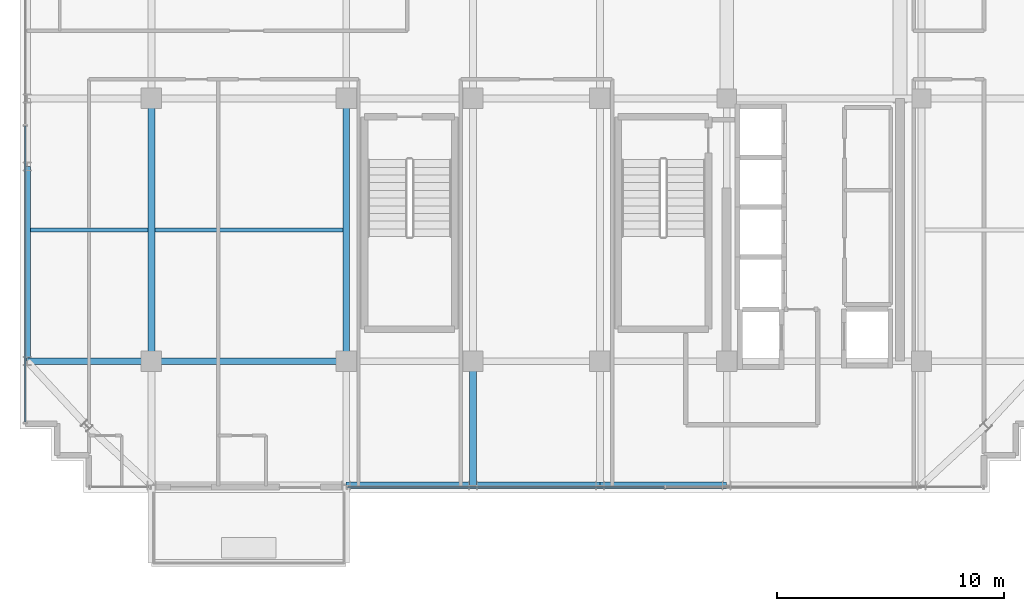
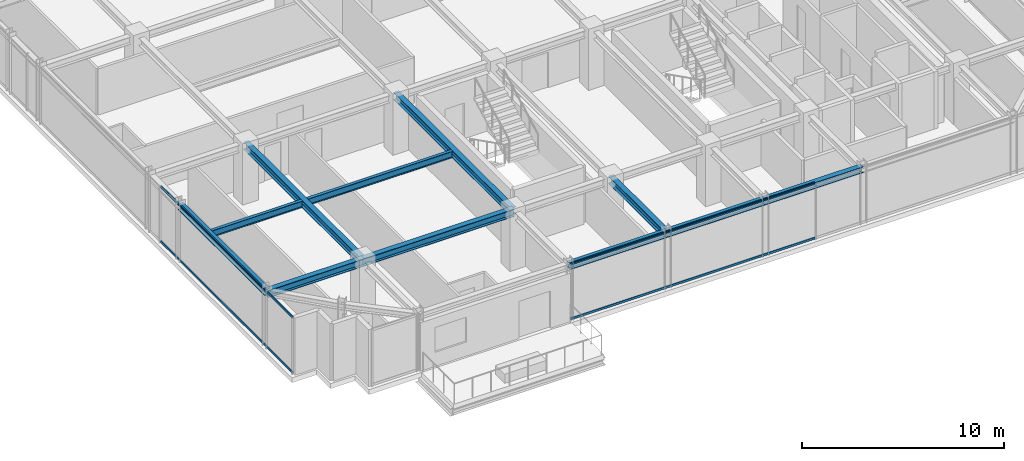
# One storey, part 6 of 33: 11 beams, 4 members, 2 elements without a shape of their own.
"""IFC4 building model written with IfcOpenShell, lengths in metres."""

from ifc_helpers import new_model, si_unit, direction, frame, origin, origin_2d, place, context, subcontext, project, spatial, hollow_rectangle, i_section, extrude, source, transform, mapped, material, material_profile, profile_set, type_object, element, aggregate, save


model = new_model("IFC4")

# Units and contexts
model_context = context("Model", 3, precision=1e-05, world=origin(), true_north=direction((0.0, 1.0)))
body_context = subcontext(model_context, "Body", "Model", "MODEL_VIEW")
ifc_project = project(units=[si_unit("LENGTHUNIT", "METRE"), si_unit("AREAUNIT", "SQUARE_METRE"), si_unit("VOLUMEUNIT", "CUBIC_METRE"), si_unit("PLANEANGLEUNIT", "RADIAN"), si_unit("MASSUNIT", "GRAM", prefix="KILO")], contexts=[model_context])

# Site, building, storey
site_placement = place(None, origin())
site = spatial("IfcSite", under=ifc_project, at=site_placement, CompositionType="ELEMENT")
building_placement = place(site_placement, origin())
building = spatial("IfcBuilding", under=site, at=building_placement, Name="Nahalor Promenade Grand Hotel", CompositionType="ELEMENT")
storey_placement = place(building_placement, frame((0.0, 0.0, 270.050048828125)))
storey = spatial("IfcBuildingStorey", under=building, at=storey_placement, Name="L69", CompositionType="ELEMENT", Elevation=270.050048828125)

# Beams
ifc_material_1 = material(Name="Steel S355JR", Category="steel")
ifc_material_profile_1 = material_profile(ifc_material_1, i_section(OverallWidth=0.3, OverallDepth=0.45, WebThickness=0.014, FlangeThickness=0.026, at=origin_2d()), Name="HEB 450")
ifc_profile_set_1 = profile_set([ifc_material_profile_1], Name="Steel S355JR")
beam_type_1 = type_object("IfcBeamType", Name="Beam-Girder-HEB450", PredefinedType="BEAM", material=ifc_profile_set_1)
shared_shape_1 = source(origin(), body_context, "Body", "SweptSolid", [
    extrude(i_section(OverallWidth=0.3, OverallDepth=0.45, WebThickness=0.014, FlangeThickness=0.026, at=origin_2d()), origin(), (0.0, 0.0, 1.0), 8.60009765625),
])
beam_1_placement = place(storey_placement, frame((-17.0, -17.0, 3.224853515625), z_axis=(1.0, 0.0, 0.0), x_axis=(0.0, 1.0, 0.0)))
element("IfcBeam", 1, at=beam_1_placement, inside=storey, type_object=beam_type_1, Name="BM-L69-GX-0-1", PredefinedType="BEAM", context=body_context, shape_type="MappedRepresentation", body=[
    mapped(shared_shape_1, transform((0.0, 0.0, 0.0), scale=1.0)),
])
shared_shape_2 = source(origin(), body_context, "Body", "SweptSolid", [
    extrude(i_section(OverallWidth=0.3, OverallDepth=0.45, WebThickness=0.014, FlangeThickness=0.026, at=origin_2d()), origin(), (0.0, 0.0, 1.0), 11.60009765625),
])
for number, where, z_axis, x_axis, name in (
    (2, (-17.0, -17.0, 3.224853515625), (0.0, 1.0, 0.0), (-1.0, 0.0, 0.0), "BM-L69-GY-0-1"),
    (3, (-8.39990234375, -17.0, 3.224853515625), (0.0, 1.0, 0.0), (-1.0, 0.0, 0.0), "BM-L69-GY-1-1"),
):
    element("IfcBeam", number, at=place(storey_placement, frame(where, z_axis=z_axis, x_axis=x_axis)), inside=storey, type_object=beam_type_1, Name=name, PredefinedType="BEAM", context=body_context, shape_type="MappedRepresentation", body=[
        mapped(shared_shape_2, transform((0.0, 0.0, 0.0), scale=1.0)),
    ])
ifc_material_profile_2 = material_profile(ifc_material_1, i_section(OverallWidth=0.18, OverallDepth=0.4, WebThickness=0.0086, FlangeThickness=0.0135, at=origin_2d()), Name="IPE 400")
ifc_profile_set_2 = profile_set([ifc_material_profile_2], Name="Steel S355JR")
beam_type_2 = type_object("IfcBeamType", Name="Beam-Joist-IPE400", PredefinedType="JOIST", material=ifc_profile_set_2)
shared_shape_3 = source(origin(), body_context, "Body", "SweptSolid", [
    extrude(i_section(OverallWidth=0.18, OverallDepth=0.4, WebThickness=0.0086, FlangeThickness=0.0135, at=origin_2d()), origin(), (0.0, 0.0, 1.0), 8.300048828125),
])
beam_2_placement = place(storey_placement, frame((-16.85009765625, -11.199951171875, 3.25), z_axis=(1.0, 0.0, 0.0), x_axis=(0.0, 1.0, 0.0)))
element("IfcBeam", 4, at=beam_2_placement, inside=storey, type_object=beam_type_2, Name="BM-L69-JSW-0-1", PredefinedType="JOIST", context=body_context, shape_type="MappedRepresentation", body=[
    mapped(shared_shape_3, transform((0.0, 0.0, 0.0), scale=1.0)),
])
shared_shape_4 = source(origin(), body_context, "Body", "SweptSolid", [
    extrude(i_section(OverallWidth=0.3, OverallDepth=0.45, WebThickness=0.014, FlangeThickness=0.026, at=origin_2d()), origin(), (0.0, 0.0, 1.0), 5.47998046875),
])
for number, where, z_axis, x_axis, name in (
    (5, (-22.47998046875, -17.0, 3.224853515625), (1.0, 0.0, 0.0), (0.0, 1.0, 0.0), "BM-L69-GX-0-0"),
    (6, (-2.800048828125, -22.47998046875, 3.224853515625), (0.0, 1.0, 0.0), (-1.0, 0.0, 0.0), "BM-L69-GY-2-0"),
):
    element("IfcBeam", number, at=place(storey_placement, frame(where, z_axis=z_axis, x_axis=x_axis)), inside=storey, type_object=beam_type_1, Name=name, PredefinedType="BEAM", context=body_context, shape_type="MappedRepresentation", body=[
        mapped(shared_shape_4, transform((0.0, 0.0, 0.0), scale=1.0)),
    ])
shared_shape_5 = source(origin(), body_context, "Body", "SweptSolid", [
    extrude(i_section(OverallWidth=0.18, OverallDepth=0.4, WebThickness=0.0086, FlangeThickness=0.0135, at=origin_2d()), origin(), (0.0, 0.0, 1.0), 5.18017578125),
])
beam_3_placement = place(storey_placement, frame((-22.330078125, -11.199951171875, 3.25), z_axis=(1.0, 0.0, 0.0), x_axis=(0.0, 1.0, 0.0)))
element("IfcBeam", 7, at=beam_3_placement, inside=storey, type_object=beam_type_2, Name="BM-L69-JSW-0-0", PredefinedType="JOIST", context=body_context, shape_type="MappedRepresentation", body=[
    mapped(shared_shape_5, transform((0.0, 0.0, 0.0), scale=1.0)),
])
ifc_material_profile_3 = material_profile(ifc_material_1, i_section(OverallWidth=0.3, OverallDepth=0.36, WebThickness=0.0125, FlangeThickness=0.0225, at=origin_2d()), Name="HEB 360")
ifc_profile_set_3 = profile_set([ifc_material_profile_3], Name="Steel S355JR")
beam_type_3 = type_object("IfcBeamType", Name="Beam-Spandrel-HEB360", PredefinedType="SPANDREL", material=ifc_profile_set_3)
shared_shape_6 = source(origin(), body_context, "Body", "SweptSolid", [
    extrude(i_section(OverallWidth=0.3, OverallDepth=0.36, WebThickness=0.0125, FlangeThickness=0.0225, at=origin_2d()), origin(), (0.0, 0.0, 1.0), 8.60009765625),
])
beam_4_placement = place(storey_placement, frame((-22.47998046875, -17.0, 3.27001953125), z_axis=(0.0, 1.0, 0.0), x_axis=(-1.0, 0.0, 0.0)))
element("IfcBeam", 8, at=beam_4_placement, inside=storey, type_object=beam_type_3, Name="BM-L69-SP-W-0", PredefinedType="SPANDREL", context=body_context, shape_type="MappedRepresentation", body=[
    mapped(shared_shape_6, transform((0.0, 0.0, 0.0), scale=1.0)),
])
shared_shape_7 = source(origin(), body_context, "Body", "SweptSolid", [
    extrude(i_section(OverallWidth=0.3, OverallDepth=0.36, WebThickness=0.0125, FlangeThickness=0.0225, at=origin_2d()), origin(), (0.0, 0.0, 1.0), 5.599853515625),
])
for number, where, z_axis, x_axis, name in (
    (9, (-8.39990234375, -22.47998046875, 3.27001953125), (1.0, 0.0, 0.0), (0.0, 1.0, 0.0), "BM-L69-SP-S-1"),
    (10, (2.800048828125, -22.47998046875, 3.27001953125), (1.0, 0.0, 0.0), (0.0, 1.0, 0.0), "BM-L69-SP-S-3"),
):
    element("IfcBeam", number, at=place(storey_placement, frame(where, z_axis=z_axis, x_axis=x_axis)), inside=storey, type_object=beam_type_3, Name=name, PredefinedType="SPANDREL", context=body_context, shape_type="MappedRepresentation", body=[
        mapped(shared_shape_7, transform((0.0, 0.0, 0.0), scale=1.0)),
    ])
shared_shape_8 = source(origin(), body_context, "Body", "SweptSolid", [
    extrude(i_section(OverallWidth=0.3, OverallDepth=0.36, WebThickness=0.0125, FlangeThickness=0.0225, at=origin_2d()), origin(), (0.0, 0.0, 1.0), 5.60009765625),
])
beam_5_placement = place(storey_placement, frame((-2.800048828125, -22.47998046875, 3.27001953125), z_axis=(1.0, 0.0, 0.0), x_axis=(0.0, 1.0, 0.0)))
element("IfcBeam", 11, at=beam_5_placement, inside=storey, type_object=beam_type_3, Name="BM-L69-SP-S-2", PredefinedType="SPANDREL", context=body_context, shape_type="MappedRepresentation", body=[
    mapped(shared_shape_8, transform((0.0, 0.0, 0.0), scale=1.0)),
])

# Curtain wall, members
ifc_material_2 = material(Name="Anodised Bronze Aluminium EN AW-6063 T6", Category="aluminium")
curtain_wall_type = type_object("IfcCurtainWallType", Name="CW2 Typical Hotel Flush Bronze Unitised Curtain Wall", PredefinedType="USERDEFINED", material=ifc_material_2)
curtain_wall_1_placement = place(storey_placement, origin())
curtain_wall_1 = element("IfcCurtainWall", 12, at=curtain_wall_1_placement, inside=storey, type_object=curtain_wall_type, Name="L69 Curtain Wall CW-L69-S-3", ObjectType="UNITISED_CURTAIN_WALL", PredefinedType="USERDEFINED")
ifc_material_profile_4 = material_profile(ifc_material_2, hollow_rectangle(XDim=0.065, YDim=0.13, WallThickness=0.004, at=origin_2d()), Name="CWT 65x130x4")
ifc_profile_set_4 = profile_set([ifc_material_profile_4], Name="Anodised Bronze Aluminium EN AW-6063 T6")
member_type = type_object("IfcMemberType", Name="CWT2 Typical Bronze Transom 65x130", PredefinedType="USERDEFINED", material=ifc_profile_set_4)
shared_shape_9 = source(origin(), body_context, "Body", "SweptSolid", [
    extrude(hollow_rectangle(XDim=0.065, YDim=0.13, WallThickness=0.004, at=origin_2d()), origin(), (0.0, 0.0, 1.0), 13.982421875),
])
member_1_placement = place(storey_placement, frame((-8.3349609375, -22.56005859375, 0.06494140625), z_axis=(1.0, 0.0, 0.0), x_axis=(0.0, 1.0, 0.0)))
member_1 = element("IfcMember", 13, at=member_1_placement, type_object=member_type, Name="CW-L69-S-3 Transom 0-0", ObjectType="TRANSOM", PredefinedType="USERDEFINED", context=body_context, shape_type="MappedRepresentation", body=[
    mapped(shared_shape_9, transform((0.0, 0.0, 0.0), scale=1.0)),
])
member_2_placement = place(storey_placement, frame((-8.3349609375, -22.56005859375, 3.385009765625), z_axis=(1.0, 0.0, 0.0), x_axis=(0.0, 1.0, 0.0)))
member_2 = element("IfcMember", 14, at=member_2_placement, type_object=member_type, Name="CW-L69-S-3 Transom 0-1", ObjectType="TRANSOM", PredefinedType="USERDEFINED", context=body_context, shape_type="MappedRepresentation", body=[
    mapped(shared_shape_9, transform((0.0, 0.0, 0.0), scale=1.0)),
])
aggregate(curtain_wall_1, [member_1, member_2])

curtain_wall_2_placement = place(storey_placement, origin())
curtain_wall_2 = element("IfcCurtainWall", 15, at=curtain_wall_2_placement, inside=storey, type_object=curtain_wall_type, Name="L69 Curtain Wall CW-L69-W-1", ObjectType="UNITISED_CURTAIN_WALL", PredefinedType="USERDEFINED")
shared_shape_10 = source(origin(), body_context, "Body", "SweptSolid", [
    extrude(hollow_rectangle(XDim=0.065, YDim=0.13, WallThickness=0.004, at=origin_2d()), origin(), (0.0, 0.0, 1.0), 13.075927734375),
])
member_3_placement = place(storey_placement, frame((-22.56005859375, -19.695068359375, 0.06494140625), z_axis=(0.0, 1.0, 0.0), x_axis=(-1.0, 0.0, 0.0)))
member_3 = element("IfcMember", 16, at=member_3_placement, type_object=member_type, Name="CW-L69-W-1 Transom 0-0", ObjectType="TRANSOM", PredefinedType="USERDEFINED", context=body_context, shape_type="MappedRepresentation", body=[
    mapped(shared_shape_10, transform((0.0, 0.0, 0.0), scale=1.0)),
])
member_4_placement = place(storey_placement, frame((-22.56005859375, -19.695068359375, 3.385009765625), z_axis=(0.0, 1.0, 0.0), x_axis=(-1.0, 0.0, 0.0)))
member_4 = element("IfcMember", 17, at=member_4_placement, type_object=member_type, Name="CW-L69-W-1 Transom 0-1", ObjectType="TRANSOM", PredefinedType="USERDEFINED", context=body_context, shape_type="MappedRepresentation", body=[
    mapped(shared_shape_10, transform((0.0, 0.0, 0.0), scale=1.0)),
])
aggregate(curtain_wall_2, [member_3, member_4])

save(model, "model.ifc")
